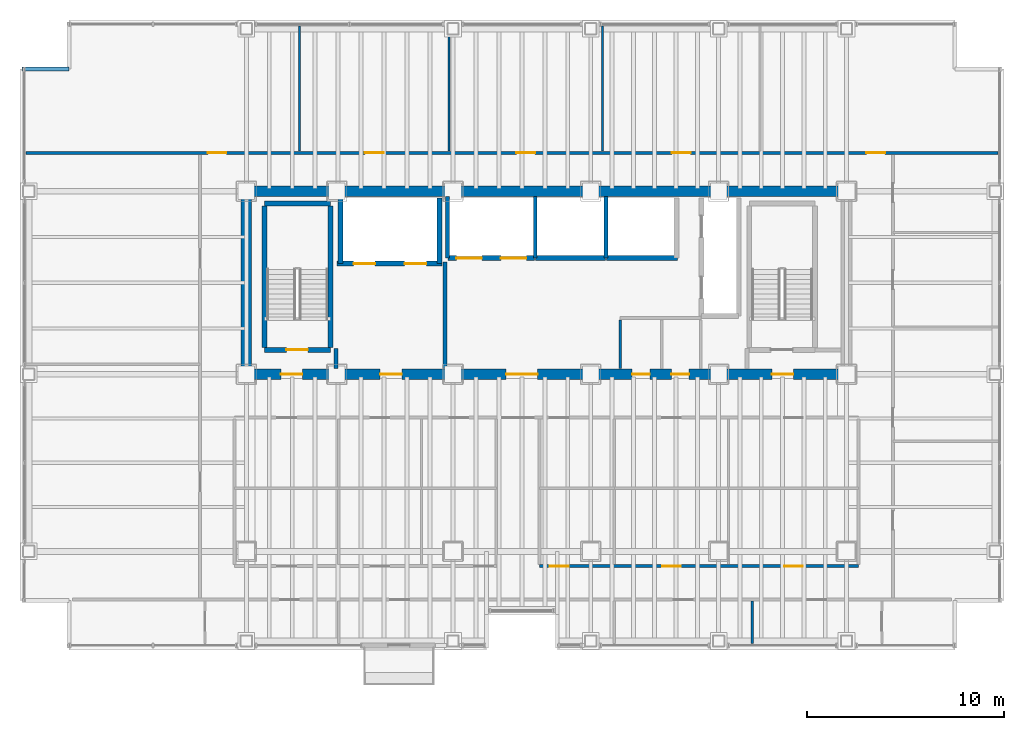
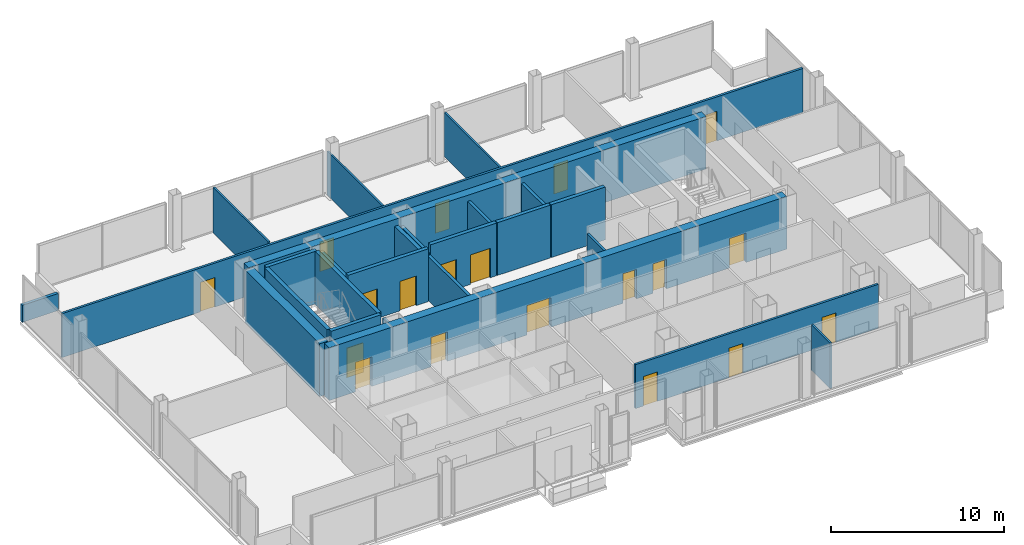
# One storey, part 19 of 21: 26 walls, 19 doors, 19 openings.
"""IFC4 building model written with IfcOpenShell, lengths in metres."""

from ifc_helpers import new_model, si_unit, direction, frame, frame_2d, origin, place, context, subcontext, project, spatial, rectangle, extrude, material, layer, layer_set, type_object, element, fill, save


model = new_model("IFC4")

# Units and contexts
model_context = context("Model", 3, precision=1e-05, world=origin(), true_north=direction((0.0, 1.0)))
body_context = subcontext(model_context, "Body", "Model", "MODEL_VIEW")
ifc_project = project(units=[si_unit("LENGTHUNIT", "METRE"), si_unit("AREAUNIT", "SQUARE_METRE"), si_unit("VOLUMEUNIT", "CUBIC_METRE"), si_unit("PLANEANGLEUNIT", "RADIAN"), si_unit("MASSUNIT", "GRAM", prefix="KILO")], contexts=[model_context])

# Site, building, storey
site_placement = place(None, origin())
site = spatial("IfcSite", under=ifc_project, at=site_placement, CompositionType="ELEMENT")
building_placement = place(site_placement, origin())
building = spatial("IfcBuilding", under=site, at=building_placement, Name="Noeulbin Bourse Tower", CompositionType="ELEMENT")
storey_placement = place(building_placement, frame((0.0, 0.0, 46.0)))
storey = spatial("IfcBuildingStorey", under=building, at=storey_placement, Name="L11", CompositionType="ELEMENT", Elevation=46.0)

# Wall, openings, doors
ifc_material_1 = material(Name="Concrete C60/75", Category="concrete")
ifc_layer_1 = layer(ifc_material_1, 0.550048828125)
ifc_layer_set_1 = layer_set([ifc_layer_1], Name="Concrete C60/75")
wall_type_1 = type_object("IfcWallType", Name="WAL-CORE-550", PredefinedType="SHEAR", material=ifc_layer_set_1)
wall_1_placement = place(storey_placement, frame((13.5, 29.0, 0.0), z_axis=(0.0, 0.0, 1.0), x_axis=(1.0, 0.0, 0.0)))
wall_1 = element("IfcWall", 1, at=wall_1_placement, inside=storey, type_object=wall_type_1, Name="Rear Core South Shear Wall L11", PredefinedType="SHEAR", context=body_context, shape_type="SweptSolid", body=[
    extrude(rectangle(XDim=30.5, YDim=0.550048828125, at=frame_2d((15.25, 0.0))), origin(), (0.0, 0.0, 1.0), 3.719970703125),
])
opening_1_placement = place(wall_1_placement, frame((1.75, 0.0, 0.0)))
opening_1 = element("IfcOpeningElement", 2, at=opening_1_placement, cuts=wall_1, Name="Opening FD-11", PredefinedType="OPENING", context=body_context, shape_type="SweptSolid", body=[
    extrude(rectangle(XDim=1.10009765625, YDim=2.080078125, at=frame_2d((0.550048828125, 1.0400390625))), frame((0.0, 0.284912109375, 0.0), z_axis=(0.0, -1.0, 0.0), x_axis=(1.0, 0.0, 0.0)), (0.0, 0.0, 1.0), 0.570068359375),
])
opening_2_placement = place(wall_1_placement, frame((26.699951171875, 0.0, 0.0)))
opening_2 = element("IfcOpeningElement", 3, at=opening_2_placement, cuts=wall_1, Name="Opening FD-11", PredefinedType="OPENING", context=body_context, shape_type="SweptSolid", body=[
    extrude(rectangle(XDim=1.10009765625, YDim=2.080078125, at=frame_2d((0.550048828125, 1.0400390625))), frame((0.0, 0.284912109375, 0.0), z_axis=(0.0, -1.0, 0.0), x_axis=(1.0, 0.0, 0.0)), (0.0, 0.0, 1.0), 0.570068359375),
])
opening_3_placement = place(wall_1_placement, frame((6.800048828125, 0.0, 0.0)))
opening_3 = element("IfcOpeningElement", 4, at=opening_3_placement, cuts=wall_1, Name="Opening FD-11", PredefinedType="OPENING", context=body_context, shape_type="SweptSolid", body=[
    extrude(rectangle(XDim=1.10009765625, YDim=2.080078125, at=frame_2d((0.550048828125, 1.0400390625))), frame((0.0, 0.284912109375, 0.0), z_axis=(0.0, -1.0, 0.0), x_axis=(1.0, 0.0, 0.0)), (0.0, 0.0, 1.0), 0.570068359375),
])
opening_4_placement = place(wall_1_placement, frame((13.199951171875, 0.0, 0.0)))
opening_4 = element("IfcOpeningElement", 5, at=opening_4_placement, cuts=wall_1, Name="Opening ID-16", PredefinedType="OPENING", context=body_context, shape_type="SweptSolid", body=[
    extrude(rectangle(XDim=1.60009765625, YDim=2.080078125, at=frame_2d((0.800048828125, 1.0400390625))), frame((0.0, 0.284912109375, 0.0), z_axis=(0.0, -1.0, 0.0), x_axis=(1.0, 0.0, 0.0)), (0.0, 0.0, 1.0), 0.570068359375),
])
opening_5_placement = place(wall_1_placement, frame((19.60009765625, 0.0, 0.0)))
opening_5 = element("IfcOpeningElement", 6, at=opening_5_placement, cuts=wall_1, Name="Opening FD-09", PredefinedType="OPENING", context=body_context, shape_type="SweptSolid", body=[
    extrude(rectangle(XDim=0.89990234375, YDim=2.080078125, at=frame_2d((0.449951171875, 1.0400390625))), frame((0.0, 0.284912109375, 0.0), z_axis=(0.0, -1.0, 0.0), x_axis=(1.0, 0.0, 0.0)), (0.0, 0.0, 1.0), 0.570068359375),
])
opening_6_placement = place(wall_1_placement, frame((21.60009765625, 0.0, 0.0)))
opening_6 = element("IfcOpeningElement", 7, at=opening_6_placement, cuts=wall_1, Name="Opening FD-09", PredefinedType="OPENING", context=body_context, shape_type="SweptSolid", body=[
    extrude(rectangle(XDim=0.89990234375, YDim=2.080078125, at=frame_2d((0.449951171875, 1.0400390625))), frame((0.0, 0.284912109375, 0.0), z_axis=(0.0, -1.0, 0.0), x_axis=(1.0, 0.0, 0.0)), (0.0, 0.0, 1.0), 0.570068359375),
])
ifc_material_2 = material(Name="Acoustic Glazed Aluminium", Category="aluminium")
door_type_1 = type_object("IfcDoorType", Name="DR-DBL-1600", OperationType="DOUBLE_DOOR_SINGLE_SWING", PredefinedType="DOOR", material=ifc_material_2)
door_1_placement = place(opening_4_placement, origin())
door_1 = element("IfcDoor", 8, at=door_1_placement, inside=storey, type_object=door_type_1, Name="Passenger Lift Lobby Portal L11", OperationType="DOUBLE_DOOR_SINGLE_SWING", OverallHeight=2.080078125, OverallWidth=1.60009765625, PredefinedType="DOOR", context=body_context, shape_type="SweptSolid", body=[
    extrude(rectangle(XDim=1.60009765625, YDim=2.080078125, at=frame_2d((0.800048828125, 1.0400390625))), frame((0.0, 0.02490234375, 0.0), z_axis=(0.0, -1.0, 0.0), x_axis=(1.0, 0.0, 0.0)), (0.0, 0.0, 1.0), 0.050048828125),
])
fill(opening_4, door_1)
ifc_material_3 = material(Name="Fire-Rated Timber Core", Category="wood")
door_type_2 = type_object("IfcDoorType", Name="DR-FD30-900", OperationType="SINGLE_SWING_RIGHT", PredefinedType="DOOR", material=ifc_material_3)
door_2_placement = place(opening_5_placement, origin())
door_2 = element("IfcDoor", 9, at=door_2_placement, inside=storey, type_object=door_type_2, Name="Interior Door L11-05", OperationType="SINGLE_SWING_RIGHT", OverallHeight=2.080078125, OverallWidth=0.89990234375, PredefinedType="DOOR", context=body_context, shape_type="SweptSolid", body=[
    extrude(rectangle(XDim=0.89990234375, YDim=2.080078125, at=frame_2d((0.449951171875, 1.0400390625))), frame((0.0, 0.02490234375, 0.0), z_axis=(0.0, -1.0, 0.0), x_axis=(1.0, 0.0, 0.0)), (0.0, 0.0, 1.0), 0.050048828125),
])
fill(opening_5, door_2)
door_3_placement = place(opening_6_placement, origin())
door_3 = element("IfcDoor", 10, at=door_3_placement, inside=storey, type_object=door_type_2, Name="Interior Door L11-06", OperationType="SINGLE_SWING_LEFT", OverallHeight=2.080078125, OverallWidth=0.89990234375, PredefinedType="DOOR", context=body_context, shape_type="SweptSolid", body=[
    extrude(rectangle(XDim=0.89990234375, YDim=2.080078125, at=frame_2d((0.449951171875, 1.0400390625))), frame((0.0, 0.02490234375, 0.0), z_axis=(0.0, -1.0, 0.0), x_axis=(1.0, 0.0, 0.0)), (0.0, 0.0, 1.0), 0.050048828125),
])
fill(opening_6, door_3)
ifc_material_4 = material(Name="Fire-Rated Insulated Steel", Category="steel")
door_type_3 = type_object("IfcDoorType", Name="DR-FD60-1100", OperationType="SINGLE_SWING_LEFT", PredefinedType="DOOR", material=ifc_material_4)
door_4_placement = place(opening_1_placement, origin())
door_4 = element("IfcDoor", 11, at=door_4_placement, inside=storey, type_object=door_type_3, Name="West Stair Lobby Door L11", OperationType="SINGLE_SWING_RIGHT", OverallHeight=2.080078125, OverallWidth=1.10009765625, PredefinedType="DOOR", context=body_context, shape_type="SweptSolid", body=[
    extrude(rectangle(XDim=1.10009765625, YDim=2.080078125, at=frame_2d((0.550048828125, 1.0400390625))), frame((0.0, 0.02490234375, 0.0), z_axis=(0.0, -1.0, 0.0), x_axis=(1.0, 0.0, 0.0)), (0.0, 0.0, 1.0), 0.050048828125),
])
fill(opening_1, door_4)
door_5_placement = place(opening_2_placement, origin())
door_5 = element("IfcDoor", 12, at=door_5_placement, inside=storey, type_object=door_type_3, Name="East Stair Lobby Door L11", OperationType="SINGLE_SWING_LEFT", OverallHeight=2.080078125, OverallWidth=1.10009765625, PredefinedType="DOOR", context=body_context, shape_type="SweptSolid", body=[
    extrude(rectangle(XDim=1.10009765625, YDim=2.080078125, at=frame_2d((0.550048828125, 1.0400390625))), frame((0.0, 0.02490234375, 0.0), z_axis=(0.0, -1.0, 0.0), x_axis=(1.0, 0.0, 0.0)), (0.0, 0.0, 1.0), 0.050048828125),
])
fill(opening_2, door_5)
door_6_placement = place(opening_3_placement, origin())
door_6 = element("IfcDoor", 13, at=door_6_placement, inside=storey, type_object=door_type_3, Name="Firefighting Lobby Door L11", OperationType="SINGLE_SWING_RIGHT", OverallHeight=2.080078125, OverallWidth=1.10009765625, PredefinedType="DOOR", context=body_context, shape_type="SweptSolid", body=[
    extrude(rectangle(XDim=1.10009765625, YDim=2.080078125, at=frame_2d((0.550048828125, 1.0400390625))), frame((0.0, 0.02490234375, 0.0), z_axis=(0.0, -1.0, 0.0), x_axis=(1.0, 0.0, 0.0)), (0.0, 0.0, 1.0), 0.050048828125),
])
fill(opening_3, door_6)

# Walls
wall_2_placement = place(storey_placement, frame((13.5, 38.300048828125, 0.0), z_axis=(0.0, 0.0, 1.0), x_axis=(1.0, 0.0, 0.0)))
element("IfcWall", 14, at=wall_2_placement, inside=storey, type_object=wall_type_1, Name="Rear Core North Shear Wall L11", PredefinedType="SHEAR", context=body_context, shape_type="SweptSolid", body=[
    extrude(rectangle(XDim=30.5, YDim=0.550048828125, at=frame_2d((15.25, 0.0))), origin(), (0.0, 0.0, 1.0), 3.719970703125),
])
wall_3_placement = place(storey_placement, frame((13.5, 29.35009765625, 0.0), z_axis=(0.0, 0.0, 1.0), x_axis=(0.0, 1.0, 0.0)))
element("IfcWall", 15, at=wall_3_placement, inside=storey, type_object=wall_type_1, Name="Rear Core West Shear Wall L11", PredefinedType="SHEAR", context=body_context, shape_type="SweptSolid", body=[
    extrude(rectangle(XDim=8.599853515625, YDim=0.550048828125, at=frame_2d((4.2998046875, 0.0))), origin(), (0.0, 0.0, 1.0), 3.719970703125),
])
ifc_material_5 = material(Name="Concrete C40/50", Category="concrete")
ifc_layer_2 = layer(ifc_material_5, 0.199951171875)
ifc_layer_set_2 = layer_set([ifc_layer_2], Name="Concrete C40/50")
wall_type_2 = type_object("IfcWallType", Name="WAL-FIRE-200", PredefinedType="STANDARD", material=ifc_layer_set_2)
wall_4_placement = place(storey_placement, frame((18.050048828125, 29.284912109375, 0.0), z_axis=(0.0, 0.0, 1.0), x_axis=(0.0, 1.0, 0.0)))
element("IfcWall", 16, at=wall_4_placement, inside=storey, type_object=wall_type_2, Name="Interior Partition Wall L11-18", PredefinedType="STANDARD", context=body_context, shape_type="SweptSolid", body=[
    extrude(rectangle(XDim=1.01513671875, YDim=0.199951171875, at=frame_2d((0.507568359375, 0.0))), origin(), (0.0, 0.0, 1.0), 3.300048828125),
])
wall_5_placement = place(storey_placement, frame((23.60009765625, 29.284912109375, 0.0), z_axis=(0.0, 0.0, 1.0), x_axis=(0.0, 1.0, 0.0)))
element("IfcWall", 17, at=wall_5_placement, inside=storey, type_object=wall_type_2, Name="Interior Partition Wall L11-20", PredefinedType="STANDARD", context=body_context, shape_type="SweptSolid", body=[
    extrude(rectangle(XDim=5.4150390625, YDim=0.199951171875, at=frame_2d((2.70751953125, 0.0))), origin(), (0.0, 0.0, 1.0), 3.10009765625),
])
ifc_layer_3 = layer(ifc_material_5, 0.199951171875)
ifc_layer_set_3 = layer_set([ifc_layer_3], Name="Concrete C40/50")
wall_type_3 = type_object("IfcWallType", Name="WAL-PAR-200", PredefinedType="PARAPET", material=ifc_layer_set_3)
wall_6_placement = place(storey_placement, frame((2.10009765625, 44.5, 0.0), z_axis=(0.0, 0.0, 1.0), x_axis=(1.0, 0.0, 0.0)))
element("IfcWall", 18, at=wall_6_placement, inside=storey, type_object=wall_type_3, Name="Corner Notch Parapet L11-NW1", PredefinedType="PARAPET", context=body_context, shape_type="SweptSolid", body=[
    extrude(rectangle(XDim=2.39990234375, YDim=0.199951171875, at=frame_2d((1.199951171875, 0.0))), origin(), (0.0, 0.0, 1.0), 1.199951171875),
])
ifc_material_6 = material(Name="Steel Stud Gypsum Partition", Category="steel")
ifc_layer_4 = layer(ifc_material_6, 0.1201171875)
ifc_layer_set_4 = layer_set([ifc_layer_4], Name="Steel Stud Gypsum Partition")
wall_type_4 = type_object("IfcWallType", Name="WAL-PRT-120", PredefinedType="PARTITIONING", material=ifc_layer_set_4)
wall_7_placement = place(storey_placement, frame((39.199951171875, 15.31005859375, 0.0), z_axis=(0.0, 0.0, 1.0), x_axis=(0.0, 1.0, 0.0)))
element("IfcWall", 19, at=wall_7_placement, inside=storey, type_object=wall_type_4, Name="Interior Partition Wall L11-33", PredefinedType="PARTITIONING", context=body_context, shape_type="SweptSolid", body=[
    extrude(rectangle(XDim=2.155029296875, YDim=0.1201171875, at=frame_2d((1.07763671875, 0.0))), origin(), (0.0, 0.0, 1.0), 3.2119140625),
])
wall_8_placement = place(storey_placement, frame((16.199951171875, 40.3349609375, 0.0), z_axis=(0.0, 0.0, 1.0), x_axis=(0.0, 1.0, 0.0)))
element("IfcWall", 20, at=wall_8_placement, inside=storey, type_object=wall_type_4, Name="Interior Partition Wall L11-39", PredefinedType="PARTITIONING", context=body_context, shape_type="SweptSolid", body=[
    extrude(rectangle(XDim=6.35498046875, YDim=0.1201171875, at=frame_2d((3.177490234375, 0.0))), origin(), (0.0, 0.0, 1.0), 3.2119140625),
])
for number, where, z_axis, x_axis, name in (
    (21, (23.800048828125, 40.3349609375, 0.0), (0.0, 0.0, 1.0), (0.0, 1.0, 0.0), "Interior Partition Wall L11-40"),
    (22, (31.60009765625, 40.3349609375, 0.0), (0.0, 0.0, 1.0), (0.0, 1.0, 0.0), "Interior Partition Wall L11-41"),
):
    element("IfcWall", number, at=place(storey_placement, frame(where, z_axis=z_axis, x_axis=x_axis)), inside=storey, type_object=wall_type_4, Name=name, PredefinedType="PARTITIONING", context=body_context, shape_type="SweptSolid", body=[
        extrude(rectangle(XDim=6.35498046875, YDim=0.1201171875, at=frame_2d((3.177490234375, 0.0))), origin(), (0.0, 0.0, 1.0), 3.10009765625),
    ])

# Wall, openings, doors
ifc_material_7 = material(Name="Steel Stud Acoustic Gypsum Board", Category="steel")
ifc_layer_5 = layer(ifc_material_7, 0.14990234375)
ifc_layer_set_5 = layer_set([ifc_layer_5], Name="Steel Stud Acoustic Gypsum Board")
wall_type_5 = type_object("IfcWallType", Name="WAL-PRT-150", PredefinedType="PARTITIONING", material=ifc_layer_set_5)
wall_9_placement = place(storey_placement, frame((28.39990234375, 19.25, 0.0), z_axis=(0.0, 0.0, 1.0), x_axis=(1.0, 0.0, 0.0)))
wall_9 = element("IfcWall", 23, at=wall_9_placement, inside=storey, type_object=wall_type_5, Name="Interior Partition Wall L11-06", PredefinedType="PARTITIONING", context=body_context, shape_type="SweptSolid", body=[
    extrude(rectangle(XDim=16.2001953125, YDim=0.14990234375, at=frame_2d((8.10009765625, 0.0))), origin(), (0.0, 0.0, 1.0), 3.10009765625),
])
opening_7_placement = place(wall_9_placement, frame((0.52490234375, 0.0, 0.0)))
opening_7 = element("IfcOpeningElement", 24, at=opening_7_placement, cuts=wall_9, Name="Opening ID-09", PredefinedType="OPENING", context=body_context, shape_type="SweptSolid", body=[
    extrude(rectangle(XDim=0.949951171875, YDim=2.080078125, at=frame_2d((0.47509765625, 1.0400390625))), frame((0.0, 0.0849609375, 0.0), z_axis=(0.0, -1.0, 0.0), x_axis=(1.0, 0.0, 0.0)), (0.0, 0.0, 1.0), 0.169921875),
])
opening_8_placement = place(wall_9_placement, frame((6.22509765625, 0.0, 0.0)))
opening_8 = element("IfcOpeningElement", 25, at=opening_8_placement, cuts=wall_9, Name="Opening ID-09", PredefinedType="OPENING", context=body_context, shape_type="SweptSolid", body=[
    extrude(rectangle(XDim=0.949951171875, YDim=2.080078125, at=frame_2d((0.47509765625, 1.0400390625))), frame((0.0, 0.0849609375, 0.0), z_axis=(0.0, -1.0, 0.0), x_axis=(1.0, 0.0, 0.0)), (0.0, 0.0, 1.0), 0.169921875),
])
opening_9_placement = place(wall_9_placement, frame((12.425048828125, 0.0, 0.0)))
opening_9 = element("IfcOpeningElement", 26, at=opening_9_placement, cuts=wall_9, Name="Opening ID-09", PredefinedType="OPENING", context=body_context, shape_type="SweptSolid", body=[
    extrude(rectangle(XDim=0.949951171875, YDim=2.080078125, at=frame_2d((0.47509765625, 1.0400390625))), frame((0.0, 0.0849609375, 0.0), z_axis=(0.0, -1.0, 0.0), x_axis=(1.0, 0.0, 0.0)), (0.0, 0.0, 1.0), 0.169921875),
])
ifc_material_8 = material(Name="Acoustic Solid-Core Timber", Category="wood")
door_type_4 = type_object("IfcDoorType", Name="DR-SINGLE-950", OperationType="SINGLE_SWING_LEFT", PredefinedType="DOOR", material=ifc_material_8)
door_7_placement = place(opening_7_placement, origin())
door_7 = element("IfcDoor", 27, at=door_7_placement, inside=storey, type_object=door_type_4, Name="Interior Door L11-21", OperationType="SINGLE_SWING_RIGHT", OverallHeight=2.080078125, OverallWidth=0.949951171875, PredefinedType="DOOR", context=body_context, shape_type="SweptSolid", body=[
    extrude(rectangle(XDim=0.949951171875, YDim=2.080078125, at=frame_2d((0.47509765625, 1.0400390625))), frame((0.0, 0.02490234375, 0.0), z_axis=(0.0, -1.0, 0.0), x_axis=(1.0, 0.0, 0.0)), (0.0, 0.0, 1.0), 0.050048828125),
])
fill(opening_7, door_7)
door_8_placement = place(opening_8_placement, origin())
door_8 = element("IfcDoor", 28, at=door_8_placement, inside=storey, type_object=door_type_4, Name="Interior Door L11-23", OperationType="SINGLE_SWING_RIGHT", OverallHeight=2.080078125, OverallWidth=0.949951171875, PredefinedType="DOOR", context=body_context, shape_type="SweptSolid", body=[
    extrude(rectangle(XDim=0.949951171875, YDim=2.080078125, at=frame_2d((0.47509765625, 1.0400390625))), frame((0.0, 0.02490234375, 0.0), z_axis=(0.0, -1.0, 0.0), x_axis=(1.0, 0.0, 0.0)), (0.0, 0.0, 1.0), 0.050048828125),
])
fill(opening_8, door_8)
door_9_placement = place(opening_9_placement, origin())
door_9 = element("IfcDoor", 29, at=door_9_placement, inside=storey, type_object=door_type_4, Name="Interior Door L11-25", OperationType="SINGLE_SWING_RIGHT", OverallHeight=2.080078125, OverallWidth=0.949951171875, PredefinedType="DOOR", context=body_context, shape_type="SweptSolid", body=[
    extrude(rectangle(XDim=0.949951171875, YDim=2.080078125, at=frame_2d((0.47509765625, 1.0400390625))), frame((0.0, 0.02490234375, 0.0), z_axis=(0.0, -1.0, 0.0), x_axis=(1.0, 0.0, 0.0)), (0.0, 0.0, 1.0), 0.050048828125),
])
fill(opening_9, door_9)

wall_10_placement = place(storey_placement, frame((2.31005859375, 40.25, 0.0), z_axis=(0.0, 0.0, 1.0), x_axis=(1.0, 0.0, 0.0)))
wall_10 = element("IfcWall", 30, at=wall_10_placement, inside=storey, type_object=wall_type_5, Name="Interior Partition Wall L11-17", PredefinedType="PARTITIONING", context=body_context, shape_type="SweptSolid", body=[
    extrude(rectangle(XDim=49.3798828125, YDim=0.14990234375, at=frame_2d((24.68994140625, 0.0))), origin(), (0.0, 0.0, 1.0), 3.10009765625),
])
opening_10_placement = place(wall_10_placement, frame((9.22998046875, 0.0, 0.0)))
opening_10 = element("IfcOpeningElement", 31, at=opening_10_placement, cuts=wall_10, Name="Opening ID-09", PredefinedType="OPENING", context=body_context, shape_type="SweptSolid", body=[
    extrude(rectangle(XDim=0.949951171875, YDim=2.080078125, at=frame_2d((0.47509765625, 1.0400390625))), frame((0.0, 0.0849609375, 0.0), z_axis=(0.0, -1.0, 0.0), x_axis=(1.0, 0.0, 0.0)), (0.0, 0.0, 1.0), 0.169921875),
])
opening_11_placement = place(wall_10_placement, frame((17.215087890625, 0.0, 0.0)))
opening_11 = element("IfcOpeningElement", 32, at=opening_11_placement, cuts=wall_10, Name="Opening ID-09", PredefinedType="OPENING", context=body_context, shape_type="SweptSolid", body=[
    extrude(rectangle(XDim=0.949951171875, YDim=2.080078125, at=frame_2d((0.47509765625, 1.0400390625))), frame((0.0, 0.0849609375, 0.0), z_axis=(0.0, -1.0, 0.0), x_axis=(1.0, 0.0, 0.0)), (0.0, 0.0, 1.0), 0.169921875),
])
opening_12_placement = place(wall_10_placement, frame((24.9150390625, 0.0, 0.0)))
opening_12 = element("IfcOpeningElement", 33, at=opening_12_placement, cuts=wall_10, Name="Opening ID-09", PredefinedType="OPENING", context=body_context, shape_type="SweptSolid", body=[
    extrude(rectangle(XDim=0.949951171875, YDim=2.080078125, at=frame_2d((0.47509765625, 1.0400390625))), frame((0.0, 0.0849609375, 0.0), z_axis=(0.0, -1.0, 0.0), x_axis=(1.0, 0.0, 0.0)), (0.0, 0.0, 1.0), 0.169921875),
])
opening_13_placement = place(wall_10_placement, frame((32.81494140625, 0.0, 0.0)))
opening_13 = element("IfcOpeningElement", 34, at=opening_13_placement, cuts=wall_10, Name="Opening ID-09", PredefinedType="OPENING", context=body_context, shape_type="SweptSolid", body=[
    extrude(rectangle(XDim=0.949951171875, YDim=2.080078125, at=frame_2d((0.47509765625, 1.0400390625))), frame((0.0, 0.0849609375, 0.0), z_axis=(0.0, -1.0, 0.0), x_axis=(1.0, 0.0, 0.0)), (0.0, 0.0, 1.0), 0.169921875),
])
opening_14_placement = place(wall_10_placement, frame((42.699951171875, 0.0, 0.0)))
opening_14 = element("IfcOpeningElement", 35, at=opening_14_placement, cuts=wall_10, Name="Opening ID-09", PredefinedType="OPENING", context=body_context, shape_type="SweptSolid", body=[
    extrude(rectangle(XDim=0.949951171875, YDim=2.080078125, at=frame_2d((0.47509765625, 1.0400390625))), frame((0.0, 0.0849609375, 0.0), z_axis=(0.0, -1.0, 0.0), x_axis=(1.0, 0.0, 0.0)), (0.0, 0.0, 1.0), 0.169921875),
])
door_10_placement = place(opening_10_placement, origin())
door_10 = element("IfcDoor", 36, at=door_10_placement, inside=storey, type_object=door_type_4, Name="Interior Door L11-32", OperationType="SINGLE_SWING_LEFT", OverallHeight=2.080078125, OverallWidth=0.949951171875, PredefinedType="DOOR", context=body_context, shape_type="SweptSolid", body=[
    extrude(rectangle(XDim=0.949951171875, YDim=2.080078125, at=frame_2d((0.47509765625, 1.0400390625))), frame((0.0, 0.02490234375, 0.0), z_axis=(0.0, -1.0, 0.0), x_axis=(1.0, 0.0, 0.0)), (0.0, 0.0, 1.0), 0.050048828125),
])
fill(opening_10, door_10)
door_11_placement = place(opening_11_placement, origin())
door_11 = element("IfcDoor", 37, at=door_11_placement, inside=storey, type_object=door_type_4, Name="Interior Door L11-33", OperationType="SINGLE_SWING_RIGHT", OverallHeight=2.080078125, OverallWidth=0.949951171875, PredefinedType="DOOR", context=body_context, shape_type="SweptSolid", body=[
    extrude(rectangle(XDim=0.949951171875, YDim=2.080078125, at=frame_2d((0.47509765625, 1.0400390625))), frame((0.0, 0.02490234375, 0.0), z_axis=(0.0, -1.0, 0.0), x_axis=(1.0, 0.0, 0.0)), (0.0, 0.0, 1.0), 0.050048828125),
])
fill(opening_11, door_11)
door_12_placement = place(opening_12_placement, origin())
door_12 = element("IfcDoor", 38, at=door_12_placement, inside=storey, type_object=door_type_4, Name="Interior Door L11-34", OperationType="SINGLE_SWING_LEFT", OverallHeight=2.080078125, OverallWidth=0.949951171875, PredefinedType="DOOR", context=body_context, shape_type="SweptSolid", body=[
    extrude(rectangle(XDim=0.949951171875, YDim=2.080078125, at=frame_2d((0.47509765625, 1.0400390625))), frame((0.0, 0.02490234375, 0.0), z_axis=(0.0, -1.0, 0.0), x_axis=(1.0, 0.0, 0.0)), (0.0, 0.0, 1.0), 0.050048828125),
])
fill(opening_12, door_12)
door_13_placement = place(opening_13_placement, origin())
door_13 = element("IfcDoor", 39, at=door_13_placement, inside=storey, type_object=door_type_4, Name="Interior Door L11-35", OperationType="SINGLE_SWING_RIGHT", OverallHeight=2.080078125, OverallWidth=0.949951171875, PredefinedType="DOOR", context=body_context, shape_type="SweptSolid", body=[
    extrude(rectangle(XDim=0.949951171875, YDim=2.080078125, at=frame_2d((0.47509765625, 1.0400390625))), frame((0.0, 0.02490234375, 0.0), z_axis=(0.0, -1.0, 0.0), x_axis=(1.0, 0.0, 0.0)), (0.0, 0.0, 1.0), 0.050048828125),
])
fill(opening_13, door_13)
door_14_placement = place(opening_14_placement, origin())
door_14 = element("IfcDoor", 40, at=door_14_placement, inside=storey, type_object=door_type_4, Name="Interior Door L11-36", OperationType="SINGLE_SWING_LEFT", OverallHeight=2.080078125, OverallWidth=0.949951171875, PredefinedType="DOOR", context=body_context, shape_type="SweptSolid", body=[
    extrude(rectangle(XDim=0.949951171875, YDim=2.080078125, at=frame_2d((0.47509765625, 1.0400390625))), frame((0.0, 0.02490234375, 0.0), z_axis=(0.0, -1.0, 0.0), x_axis=(1.0, 0.0, 0.0)), (0.0, 0.0, 1.0), 0.050048828125),
])
fill(opening_14, door_14)

# Wall
wall_11_placement = place(storey_placement, frame((32.5, 29.284912109375, 0.0), z_axis=(0.0, 0.0, 1.0), x_axis=(0.0, 1.0, 0.0)))
element("IfcWall", 41, at=wall_11_placement, inside=storey, type_object=wall_type_5, Name="Interior Partition Wall L11-21", PredefinedType="PARTITIONING", context=body_context, shape_type="SweptSolid", body=[
    extrude(rectangle(XDim=2.47998046875, YDim=0.14990234375, at=frame_2d((1.239990234375, 0.0))), origin(), (0.0, 0.0, 1.0), 3.300048828125),
])

# Wall, opening, door
ifc_layer_6 = layer(ifc_material_5, 0.25)
ifc_layer_set_6 = layer_set([ifc_layer_6], Name="Concrete C40/50")
wall_type_6 = type_object("IfcWallType", Name="WAL-SHFT-250", PredefinedType="STANDARD", material=ifc_layer_set_6)
wall_12_placement = place(storey_placement, frame((14.429931640625, 30.235107421875, 0.0), z_axis=(0.0, 0.0, 1.0), x_axis=(1.0, 0.0, 0.0)))
wall_12 = element("IfcWall", 42, at=wall_12_placement, inside=storey, type_object=wall_type_6, Name="Stair ST-1 South Shaft Wall L11", PredefinedType="STANDARD", context=body_context, shape_type="SweptSolid", body=[
    extrude(rectangle(XDim=3.340087890625, YDim=0.25, at=frame_2d((1.669921875, 0.0))), origin(), (0.0, 0.0, 1.0), 3.719970703125),
])
opening_15_placement = place(wall_12_placement, frame((1.10009765625, 0.0, 0.0)))
opening_15 = element("IfcOpeningElement", 43, at=opening_15_placement, cuts=wall_12, Name="Opening FD-11", PredefinedType="OPENING", context=body_context, shape_type="SweptSolid", body=[
    extrude(rectangle(XDim=1.10009765625, YDim=2.080078125, at=frame_2d((0.550048828125, 1.0400390625))), frame((0.0, 0.135009765625, 0.0), z_axis=(0.0, -1.0, 0.0), x_axis=(1.0, 0.0, 0.0)), (0.0, 0.0, 1.0), 0.27001953125),
])
door_15_placement = place(opening_15_placement, origin())
door_15 = element("IfcDoor", 44, at=door_15_placement, inside=storey, type_object=door_type_3, Name="Protected Stair Entry Door ST1-L11", OperationType="SINGLE_SWING_RIGHT", OverallHeight=2.080078125, OverallWidth=1.10009765625, PredefinedType="DOOR", context=body_context, shape_type="SweptSolid", body=[
    extrude(rectangle(XDim=1.10009765625, YDim=2.080078125, at=frame_2d((0.550048828125, 1.0400390625))), frame((0.0, 0.02490234375, 0.0), z_axis=(0.0, -1.0, 0.0), x_axis=(1.0, 0.0, 0.0)), (0.0, 0.0, 1.0), 0.050048828125),
])
fill(opening_15, door_15)

# Walls
wall_13_placement = place(storey_placement, frame((14.429931640625, 37.6689453125, 0.0), z_axis=(0.0, 0.0, 1.0), x_axis=(1.0, 0.0, 0.0)))
element("IfcWall", 45, at=wall_13_placement, inside=storey, type_object=wall_type_6, Name="Stair ST-1 North Shaft Wall L11", PredefinedType="STANDARD", context=body_context, shape_type="SweptSolid", body=[
    extrude(rectangle(XDim=3.340087890625, YDim=0.25, at=frame_2d((1.669921875, 0.0))), origin(), (0.0, 0.0, 1.0), 3.719970703125),
])
for number, where, z_axis, x_axis, name in (
    (46, (14.425048828125, 30.360107421875, 0.0), (0.0, 0.0, 1.0), (0.0, 1.0, 0.0), "Stair ST-1 West Shaft Wall L11"),
    (47, (17.77490234375, 30.360107421875, 0.0), (0.0, 0.0, 1.0), (0.0, 1.0, 0.0), "Stair ST-1 East Shaft Wall L11"),
):
    element("IfcWall", number, at=place(storey_placement, frame(where, z_axis=z_axis, x_axis=x_axis)), inside=storey, type_object=wall_type_6, Name=name, PredefinedType="STANDARD", context=body_context, shape_type="SweptSolid", body=[
        extrude(rectangle(XDim=7.183837890625, YDim=0.25, at=frame_2d((3.591796875, 0.0))), origin(), (0.0, 0.0, 1.0), 3.719970703125),
    ])

# Wall, openings, doors
wall_14_placement = place(storey_placement, frame((18.10009765625, 34.6201171875, 0.0), z_axis=(0.0, 0.0, 1.0), x_axis=(1.0, 0.0, 0.0)))
wall_14 = element("IfcWall", 48, at=wall_14_placement, inside=storey, type_object=wall_type_6, Name="Firefighting Lift Shaft Front L11", PredefinedType="STANDARD", context=body_context, shape_type="SweptSolid", body=[
    extrude(rectangle(XDim=5.349853515625, YDim=0.25, at=frame_2d((2.6748046875, 0.0))), origin(), (0.0, 0.0, 1.0), 3.719970703125),
])
opening_16_placement = place(wall_14_placement, frame((0.85009765625, 0.0, 0.0)))
opening_16 = element("IfcOpeningElement", 49, at=opening_16_placement, cuts=wall_14, Name="Opening LD-11", PredefinedType="OPENING", context=body_context, shape_type="SweptSolid", body=[
    extrude(rectangle(XDim=1.10009765625, YDim=2.080078125, at=frame_2d((0.550048828125, 1.0400390625))), frame((0.0, 0.135009765625, 0.0), z_axis=(0.0, -1.0, 0.0), x_axis=(1.0, 0.0, 0.0)), (0.0, 0.0, 1.0), 0.27001953125),
])
opening_17_placement = place(wall_14_placement, frame((3.449951171875, 0.0, 0.0)))
opening_17 = element("IfcOpeningElement", 50, at=opening_17_placement, cuts=wall_14, Name="Opening LD-11", PredefinedType="OPENING", context=body_context, shape_type="SweptSolid", body=[
    extrude(rectangle(XDim=1.10009765625, YDim=2.080078125, at=frame_2d((0.550048828125, 1.0400390625))), frame((0.0, 0.135009765625, 0.0), z_axis=(0.0, -1.0, 0.0), x_axis=(1.0, 0.0, 0.0)), (0.0, 0.0, 1.0), 0.27001953125),
])
ifc_material_9 = material(Name="Brushed Stainless Steel 316", Category="steel")
door_type_5 = type_object("IfcDoorType", Name="DR-LIFT-1100", OperationType="SLIDING_TO_LEFT", PredefinedType="DOOR", material=ifc_material_9)
door_16_placement = place(opening_16_placement, origin())
door_16 = element("IfcDoor", 51, at=door_16_placement, inside=storey, type_object=door_type_5, Name="Lift Landing Door LD-FL-01-L11", OperationType="SLIDING_TO_LEFT", OverallHeight=2.080078125, OverallWidth=1.10009765625, PredefinedType="DOOR", context=body_context, shape_type="SweptSolid", body=[
    extrude(rectangle(XDim=1.10009765625, YDim=2.080078125, at=frame_2d((0.550048828125, 1.0400390625))), frame((0.0, 0.02490234375, 0.0), z_axis=(0.0, -1.0, 0.0), x_axis=(1.0, 0.0, 0.0)), (0.0, 0.0, 1.0), 0.050048828125),
])
fill(opening_16, door_16)
door_17_placement = place(opening_17_placement, origin())
door_17 = element("IfcDoor", 52, at=door_17_placement, inside=storey, type_object=door_type_5, Name="Lift Landing Door LD-FL-02-L11", OperationType="SLIDING_TO_LEFT", OverallHeight=2.080078125, OverallWidth=1.10009765625, PredefinedType="DOOR", context=body_context, shape_type="SweptSolid", body=[
    extrude(rectangle(XDim=1.10009765625, YDim=2.080078125, at=frame_2d((0.550048828125, 1.0400390625))), frame((0.0, 0.02490234375, 0.0), z_axis=(0.0, -1.0, 0.0), x_axis=(1.0, 0.0, 0.0)), (0.0, 0.0, 1.0), 0.050048828125),
])
fill(opening_17, door_17)

# Walls
for number, where, z_axis, x_axis, name in (
    (53, (18.280029296875, 34.6201171875, 0.0), (0.0, 0.0, 1.0), (0.0, 1.0, 0.0), "Firefighting Lift West Shaft Wall L11"),
    (54, (23.320068359375, 34.6201171875, 0.0), (0.0, 0.0, 1.0), (0.0, 1.0, 0.0), "Firefighting Lift East Shaft Wall L11"),
):
    element("IfcWall", number, at=place(storey_placement, frame(where, z_axis=z_axis, x_axis=x_axis)), inside=storey, type_object=wall_type_6, Name=name, PredefinedType="STANDARD", context=body_context, shape_type="SweptSolid", body=[
        extrude(rectangle(XDim=3.329833984375, YDim=0.25, at=frame_2d((1.6650390625, 0.0))), origin(), (0.0, 0.0, 1.0), 3.300048828125),
    ])

# Wall, openings, doors
wall_15_placement = place(storey_placement, frame((23.75, 34.89990234375, 0.0), z_axis=(0.0, 0.0, 1.0), x_axis=(1.0, 0.0, 0.0)))
wall_15 = element("IfcWall", 55, at=wall_15_placement, inside=storey, type_object=wall_type_6, Name="Low-Rise Lift Bank Front L11", PredefinedType="STANDARD", context=body_context, shape_type="SweptSolid", body=[
    extrude(rectangle(XDim=4.39990234375, YDim=0.25, at=frame_2d((2.199951171875, 0.0))), origin(), (0.0, 0.0, 1.0), 3.719970703125),
])
opening_18_placement = place(wall_15_placement, frame((0.419921875, 0.0, 0.0)))
opening_18 = element("IfcOpeningElement", 56, at=opening_18_placement, cuts=wall_15, Name="Opening LD-13", PredefinedType="OPENING", context=body_context, shape_type="SweptSolid", body=[
    extrude(rectangle(XDim=1.300048828125, YDim=2.080078125, at=frame_2d((0.64990234375, 1.0400390625))), frame((0.0, 0.135009765625, 0.0), z_axis=(0.0, -1.0, 0.0), x_axis=(1.0, 0.0, 0.0)), (0.0, 0.0, 1.0), 0.27001953125),
])
opening_19_placement = place(wall_15_placement, frame((2.679931640625, 0.0, 0.0)))
opening_19 = element("IfcOpeningElement", 57, at=opening_19_placement, cuts=wall_15, Name="Opening LD-13", PredefinedType="OPENING", context=body_context, shape_type="SweptSolid", body=[
    extrude(rectangle(XDim=1.300048828125, YDim=2.080078125, at=frame_2d((0.64990234375, 1.0400390625))), frame((0.0, 0.135009765625, 0.0), z_axis=(0.0, -1.0, 0.0), x_axis=(1.0, 0.0, 0.0)), (0.0, 0.0, 1.0), 0.27001953125),
])
door_type_6 = type_object("IfcDoorType", Name="DR-LIFT-1300", OperationType="DOUBLE_DOOR_SLIDING", PredefinedType="DOOR", material=ifc_material_9)
door_18_placement = place(opening_18_placement, origin())
door_18 = element("IfcDoor", 58, at=door_18_placement, inside=storey, type_object=door_type_6, Name="Lift Landing Door LD-PL-L1-L11", OperationType="DOUBLE_DOOR_SLIDING", OverallHeight=2.080078125, OverallWidth=1.300048828125, PredefinedType="DOOR", context=body_context, shape_type="SweptSolid", body=[
    extrude(rectangle(XDim=1.300048828125, YDim=2.080078125, at=frame_2d((0.64990234375, 1.0400390625))), frame((0.0, 0.02490234375, 0.0), z_axis=(0.0, -1.0, 0.0), x_axis=(1.0, 0.0, 0.0)), (0.0, 0.0, 1.0), 0.050048828125),
])
fill(opening_18, door_18)
door_19_placement = place(opening_19_placement, origin())
door_19 = element("IfcDoor", 59, at=door_19_placement, inside=storey, type_object=door_type_6, Name="Lift Landing Door LD-PL-L2-L11", OperationType="DOUBLE_DOOR_SLIDING", OverallHeight=2.080078125, OverallWidth=1.300048828125, PredefinedType="DOOR", context=body_context, shape_type="SweptSolid", body=[
    extrude(rectangle(XDim=1.300048828125, YDim=2.080078125, at=frame_2d((0.64990234375, 1.0400390625))), frame((0.0, 0.02490234375, 0.0), z_axis=(0.0, -1.0, 0.0), x_axis=(1.0, 0.0, 0.0)), (0.0, 0.0, 1.0), 0.050048828125),
])
fill(opening_19, door_19)

# Walls
wall_16_placement = place(storey_placement, frame((28.199951171875, 34.89990234375, 0.0), z_axis=(0.0, 0.0, 1.0), x_axis=(1.0, 0.0, 0.0)))
element("IfcWall", 60, at=wall_16_placement, inside=storey, type_object=wall_type_6, Name="Mid-Rise Lift Bank Front L11", PredefinedType="STANDARD", context=body_context, shape_type="SweptSolid", body=[
    extrude(rectangle(XDim=3.550048828125, YDim=0.25, at=frame_2d((1.77490234375, 0.0))), origin(), (0.0, 0.0, 1.0), 3.719970703125),
])
wall_17_placement = place(storey_placement, frame((31.800048828125, 34.89990234375, 0.0), z_axis=(0.0, 0.0, 1.0), x_axis=(1.0, 0.0, 0.0)))
element("IfcWall", 61, at=wall_17_placement, inside=storey, type_object=wall_type_6, Name="High-Rise Lift Bank Front L11", PredefinedType="STANDARD", context=body_context, shape_type="SweptSolid", body=[
    extrude(rectangle(XDim=3.599853515625, YDim=0.25, at=frame_2d((1.7998046875, 0.0))), origin(), (0.0, 0.0, 1.0), 3.719970703125),
])
wall_18_placement = place(storey_placement, frame((23.719970703125, 34.89990234375, 0.0), z_axis=(0.0, 0.0, 1.0), x_axis=(0.0, 1.0, 0.0)))
element("IfcWall", 62, at=wall_18_placement, inside=storey, type_object=wall_type_6, Name="Hoistway Side Shaft Wall L11-PLLW", PredefinedType="STANDARD", context=body_context, shape_type="SweptSolid", body=[
    extrude(rectangle(XDim=3.1201171875, YDim=0.199951171875, at=frame_2d((1.56005859375, 0.0))), origin(), (0.0, 0.0, 1.0), 3.10009765625),
])
for number, where, z_axis, x_axis, name in (
    (63, (28.179931640625, 34.89990234375, 0.0), (0.0, 0.0, 1.0), (0.0, 1.0, 0.0), "Hoistway Side Shaft Wall L11-PLMW"),
    (64, (31.780029296875, 34.89990234375, 0.0), (0.0, 0.0, 1.0), (0.0, 1.0, 0.0), "Hoistway Side Shaft Wall L11-PLHW"),
):
    element("IfcWall", number, at=place(storey_placement, frame(where, z_axis=z_axis, x_axis=x_axis)), inside=storey, type_object=wall_type_6, Name=name, PredefinedType="STANDARD", context=body_context, shape_type="SweptSolid", body=[
        extrude(rectangle(XDim=3.1201171875, YDim=0.199951171875, at=frame_2d((1.56005859375, 0.0))), origin(), (0.0, 0.0, 1.0), 3.300048828125),
    ])

save(model, "model.ifc")
